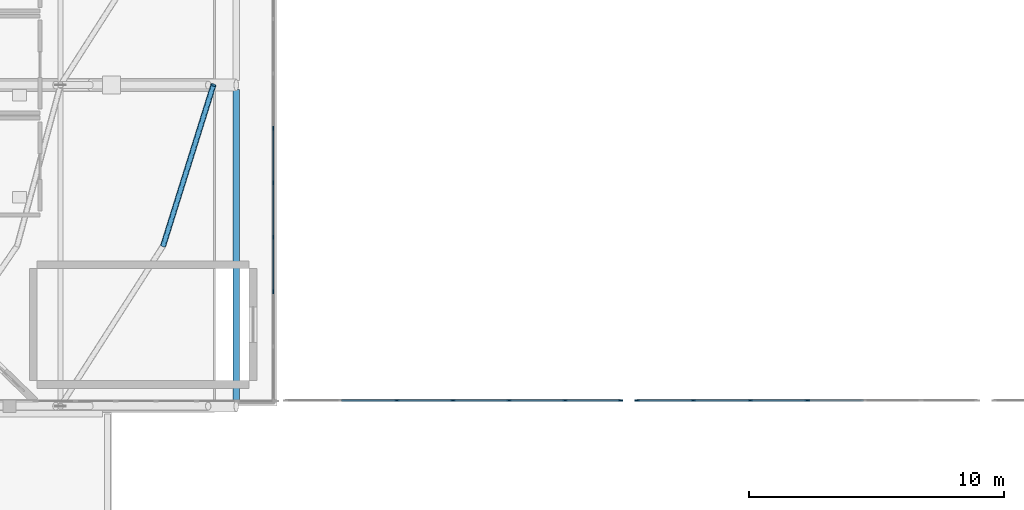
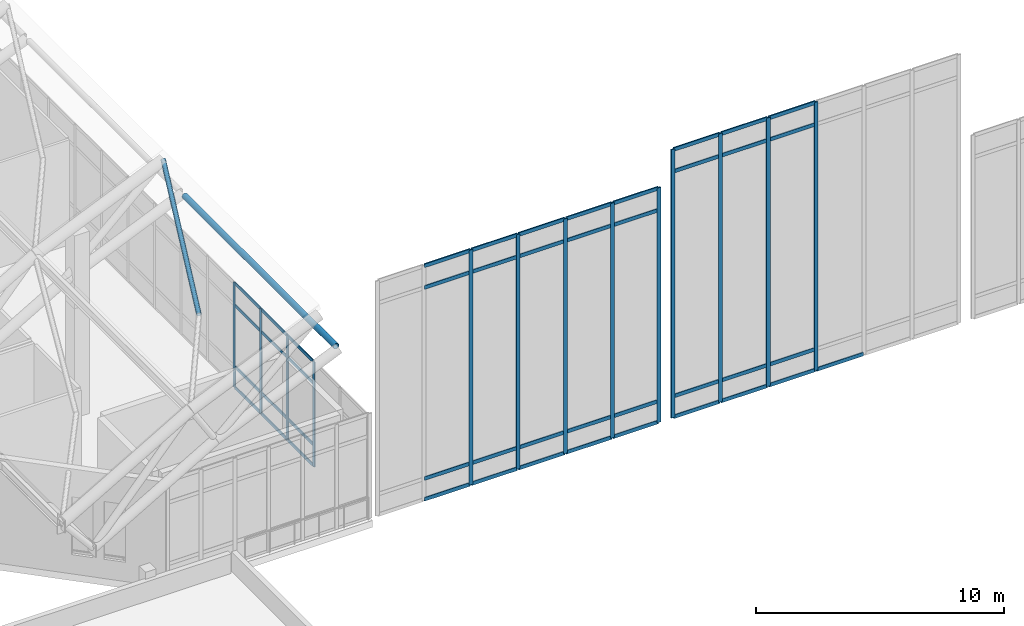
# One storey, part 3 of 42: 60 members, 3 elements without a shape of their own.
"""IFC4 building model written with IfcOpenShell, lengths in metres."""

from ifc_helpers import new_model, si_unit, derived_unit, direction, frame, origin, origin_2d, place, context, subcontext, project, spatial, rectangle, hollow_circle, extrude, material, layer, layer_set, material_profile, profile_set, type_object, element, aggregate, save


model = new_model("IFC4")

# Units and contexts
model_context = context("Model", 3, precision=1e-05, world=origin(), true_north=direction((0.0, 1.0)))
body_context = subcontext(model_context, "Body", "Model", "MODEL_VIEW")
ifc_project = project(units=[si_unit("LENGTHUNIT", "METRE"), si_unit("AREAUNIT", "SQUARE_METRE"), si_unit("VOLUMEUNIT", "CUBIC_METRE"), si_unit("PLANEANGLEUNIT", "RADIAN"), si_unit("MASSUNIT", "GRAM", prefix="KILO"), derived_unit("THERMALTRANSMITTANCEUNIT", [(si_unit("MASSUNIT", "GRAM", prefix="KILO"), 1), (si_unit("TIMEUNIT", "SECOND"), -3), (si_unit("THERMODYNAMICTEMPERATUREUNIT", "KELVIN"), -1)])], contexts=[model_context])

# Site, building, storey
site_placement = place(None, origin())
site = spatial("IfcSite", under=ifc_project, at=site_placement, CompositionType="ELEMENT")
building_placement = place(site_placement, origin())
building = spatial("IfcBuilding", under=site, at=building_placement, Name="Valcora Ridge Arena", CompositionType="ELEMENT")
storey_placement = place(building_placement, frame((0.0, 0.0, 26.39990234375)))
storey = spatial("IfcBuildingStorey", under=building, at=storey_placement, Name="L05", CompositionType="ELEMENT", Elevation=26.39990234375)

# Curtain wall, members
ifc_material_1 = material(Name="Anodised dark bronze architectural aluminium 6063-T6", Category="aluminium")
ifc_layer_1 = layer(ifc_material_1, 0.14990234375, Name="Anodised dark bronze architectural aluminium 6063-T6")
ifc_layer_set_1 = layer_set([ifc_layer_1], Name="Anodised dark bronze architectural aluminium 6063-T6")
curtain_wall_type_1 = type_object("IfcCurtainWallType", Name="TY-CURTAINWALL-CW-V1-SKY-878X52", PredefinedType="NOTDEFINED", material=ifc_layer_set_1)
curtain_wall_1_placement = place(storey_placement, origin())
curtain_wall_1 = element("IfcCurtainWall", 1, at=curtain_wall_1_placement, inside=storey, type_object=curtain_wall_type_1, Name="CW-V1-SKY-878X52 CW-0171", PredefinedType="NOTDEFINED")
ifc_material_profile_1 = material_profile(ifc_material_1, rectangle(XDim=0.050048828125, YDim=0.14990234375, at=origin_2d()), Name="ALU MULLION 50x150")
ifc_profile_set_1 = profile_set([ifc_material_profile_1], Name="Anodised dark bronze architectural aluminium 6063-T6")
member_type_1 = type_object("IfcMemberType", Name="TY-MEM-CWM-50x150", PredefinedType="MULLION", material=ifc_profile_set_1)
member_1_placement = place(storey_placement, frame((38.35009765625, 24.48291015625, 0.0), z_axis=(0.0, 0.0, 1.0), x_axis=(-1.0, 0.0, 0.0)))
member_1 = element("IfcMember", 2, at=member_1_placement, type_object=member_type_1, Name="CW-0171/CWM-50x150/M02", PredefinedType="MULLION", context=body_context, shape_type="SweptSolid", body=[
    extrude(rectangle(XDim=0.050048828125, YDim=0.14990234375, at=origin_2d()), origin(), (0.0, 0.0, 1.0), 5.18017578125),
])
member_2_placement = place(storey_placement, frame((38.35009765625, 26.62451171875, 0.0), z_axis=(0.0, 0.0, 1.0), x_axis=(-1.0, 0.0, 0.0)))
member_2 = element("IfcMember", 3, at=member_2_placement, type_object=member_type_1, Name="CW-0171/CWM-50x150/M03", PredefinedType="MULLION", context=body_context, shape_type="SweptSolid", body=[
    extrude(rectangle(XDim=0.050048828125, YDim=0.14990234375, at=origin_2d()), origin(), (0.0, 0.0, 1.0), 5.18017578125),
])
member_3_placement = place(storey_placement, frame((38.35009765625, 28.765869140625, 0.0), z_axis=(0.0, 0.0, 1.0), x_axis=(-1.0, 0.0, 0.0)))
member_3 = element("IfcMember", 4, at=member_3_placement, type_object=member_type_1, Name="CW-0171/CWM-50x150/M04", PredefinedType="MULLION", context=body_context, shape_type="SweptSolid", body=[
    extrude(rectangle(XDim=0.050048828125, YDim=0.14990234375, at=origin_2d()), origin(), (0.0, 0.0, 1.0), 5.18017578125),
])
member_4_placement = place(storey_placement, frame((38.35009765625, 30.9072265625, 0.0), z_axis=(0.0, 0.0, 1.0), x_axis=(-1.0, 0.0, 0.0)))
member_4 = element("IfcMember", 5, at=member_4_placement, type_object=member_type_1, Name="CW-0171/CWM-50x150/M05", PredefinedType="MULLION", context=body_context, shape_type="SweptSolid", body=[
    extrude(rectangle(XDim=0.050048828125, YDim=0.14990234375, at=origin_2d()), origin(), (0.0, 0.0, 1.0), 5.18017578125),
])

ifc_layer_2 = layer(ifc_material_1, 0.179931640625, Name="Anodised dark bronze architectural aluminium 6063-T6")
ifc_layer_set_2 = layer_set([ifc_layer_2], Name="Anodised dark bronze architectural aluminium 6063-T6")
curtain_wall_type_2 = type_object("IfcCurtainWallType", Name="TY-CURTAINWALL-CW-V1-TYMPS-132X116", PredefinedType="NOTDEFINED", material=ifc_layer_set_2)
curtain_wall_2_placement = place(storey_placement, origin())
curtain_wall_2 = element("IfcCurtainWall", 6, at=curtain_wall_2_placement, inside=storey, type_object=curtain_wall_type_2, Name="CW-V1-TYMPS-132X116 CW-0172", PredefinedType="NOTDEFINED")
ifc_material_profile_2 = material_profile(ifc_material_1, rectangle(XDim=0.06005859375, YDim=0.179931640625, at=origin_2d()), Name="ALU MULLION 60x180")
ifc_profile_set_2 = profile_set([ifc_material_profile_2], Name="Anodised dark bronze architectural aluminium 6063-T6")
member_type_2 = type_object("IfcMemberType", Name="TY-MEM-CWM-60x180", PredefinedType="MULLION", material=ifc_profile_set_2)
member_5_placement = place(storey_placement, frame((43.199951171875, 20.219970703125, 0.0), z_axis=(0.0, 0.0, 1.0), x_axis=(0.0, 1.0, 0.0)))
member_5 = element("IfcMember", 7, at=member_5_placement, type_object=member_type_2, Name="CW-0172/CWM-60x180/M02", PredefinedType="MULLION", context=body_context, shape_type="SweptSolid", body=[
    extrude(rectangle(XDim=0.06005859375, YDim=0.179931640625, at=origin_2d()), origin(), (0.0, 0.0, 1.0), 11.57666015625),
])
member_6_placement = place(storey_placement, frame((45.39990234375, 20.219970703125, 0.0), z_axis=(0.0, 0.0, 1.0), x_axis=(0.0, 1.0, 0.0)))
member_6 = element("IfcMember", 8, at=member_6_placement, type_object=member_type_2, Name="CW-0172/CWM-60x180/M03", PredefinedType="MULLION", context=body_context, shape_type="SweptSolid", body=[
    extrude(rectangle(XDim=0.06005859375, YDim=0.179931640625, at=origin_2d()), origin(), (0.0, 0.0, 1.0), 11.57666015625),
])
member_7_placement = place(storey_placement, frame((47.60009765625, 20.219970703125, 0.0), z_axis=(0.0, 0.0, 1.0), x_axis=(0.0, 1.0, 0.0)))
member_7 = element("IfcMember", 9, at=member_7_placement, type_object=member_type_2, Name="CW-0172/CWM-60x180/M04", PredefinedType="MULLION", context=body_context, shape_type="SweptSolid", body=[
    extrude(rectangle(XDim=0.06005859375, YDim=0.179931640625, at=origin_2d()), origin(), (0.0, 0.0, 1.0), 11.57666015625),
])
member_8_placement = place(storey_placement, frame((49.800048828125, 20.219970703125, 0.0), z_axis=(0.0, 0.0, 1.0), x_axis=(0.0, 1.0, 0.0)))
member_8 = element("IfcMember", 10, at=member_8_placement, type_object=member_type_2, Name="CW-0172/CWM-60x180/M05", PredefinedType="MULLION", context=body_context, shape_type="SweptSolid", body=[
    extrude(rectangle(XDim=0.06005859375, YDim=0.179931640625, at=origin_2d()), origin(), (0.0, 0.0, 1.0), 11.57666015625),
])
member_9_placement = place(storey_placement, frame((51.969970703125, 20.219970703125, 0.0), z_axis=(0.0, 0.0, 1.0), x_axis=(0.0, 1.0, 0.0)))
member_9 = element("IfcMember", 11, at=member_9_placement, type_object=member_type_2, Name="CW-0172/CWM-60x180/M06", PredefinedType="MULLION", context=body_context, shape_type="SweptSolid", body=[
    extrude(rectangle(XDim=0.06005859375, YDim=0.179931640625, at=origin_2d()), origin(), (0.0, 0.0, 1.0), 11.57666015625),
])

ifc_layer_3 = layer(ifc_material_1, 0.179931640625, Name="Anodised dark bronze architectural aluminium 6063-T6")
ifc_layer_set_3 = layer_set([ifc_layer_3], Name="Anodised dark bronze architectural aluminium 6063-T6")
curtain_wall_type_3 = type_object("IfcCurtainWallType", Name="TY-CURTAINWALL-CW-V1-TYMPS-134X132", PredefinedType="NOTDEFINED", material=ifc_layer_set_3)
curtain_wall_3_placement = place(storey_placement, origin())
curtain_wall_3 = element("IfcCurtainWall", 12, at=curtain_wall_3_placement, inside=storey, type_object=curtain_wall_type_3, Name="CW-V1-TYMPS-134X132 CW-0174", PredefinedType="NOTDEFINED")
member_10_placement = place(storey_placement, frame((52.6298828125, 20.219970703125, 0.0), z_axis=(0.0, 0.0, 1.0), x_axis=(0.0, 1.0, 0.0)))
member_10 = element("IfcMember", 13, at=member_10_placement, type_object=member_type_2, Name="CW-0174/CWM-60x180/M00", PredefinedType="MULLION", context=body_context, shape_type="SweptSolid", body=[
    extrude(rectangle(XDim=0.06005859375, YDim=0.179931640625, at=origin_2d()), origin(), (0.0, 0.0, 1.0), 13.239990234375),
])
member_11_placement = place(storey_placement, frame((54.833251953125, 20.219970703125, 0.0), z_axis=(0.0, 0.0, 1.0), x_axis=(0.0, 1.0, 0.0)))
member_11 = element("IfcMember", 14, at=member_11_placement, type_object=member_type_2, Name="CW-0174/CWM-60x180/M01", PredefinedType="MULLION", context=body_context, shape_type="SweptSolid", body=[
    extrude(rectangle(XDim=0.06005859375, YDim=0.179931640625, at=origin_2d()), origin(), (0.0, 0.0, 1.0), 13.239990234375),
])
member_12_placement = place(storey_placement, frame((57.066650390625, 20.219970703125, 0.0), z_axis=(0.0, 0.0, 1.0), x_axis=(0.0, 1.0, 0.0)))
member_12 = element("IfcMember", 15, at=member_12_placement, type_object=member_type_2, Name="CW-0174/CWM-60x180/M02", PredefinedType="MULLION", context=body_context, shape_type="SweptSolid", body=[
    extrude(rectangle(XDim=0.06005859375, YDim=0.179931640625, at=origin_2d()), origin(), (0.0, 0.0, 1.0), 13.239990234375),
])
member_13_placement = place(storey_placement, frame((59.300048828125, 20.219970703125, 0.0), z_axis=(0.0, 0.0, 1.0), x_axis=(0.0, 1.0, 0.0)))
member_13 = element("IfcMember", 16, at=member_13_placement, type_object=member_type_2, Name="CW-0174/CWM-60x180/M03", PredefinedType="MULLION", context=body_context, shape_type="SweptSolid", body=[
    extrude(rectangle(XDim=0.06005859375, YDim=0.179931640625, at=origin_2d()), origin(), (0.0, 0.0, 1.0), 13.239990234375),
])

# Member
ifc_material_profile_3 = material_profile(ifc_material_1, rectangle(XDim=0.050048828125, YDim=0.14990234375, at=origin_2d()), Name="ALU TRANSOM 50x150")
ifc_profile_set_3 = profile_set([ifc_material_profile_3], Name="Anodised dark bronze architectural aluminium 6063-T6")
member_type_3 = type_object("IfcMemberType", Name="TY-MEM-CWT-50x150", PredefinedType="USERDEFINED", material=ifc_profile_set_3)
member_14_placement = place(storey_placement, frame((38.35009765625, 24.508056640625, 0.025146484375), z_axis=(0.0, 1.0, 0.0), x_axis=(-1.0, 0.0, 0.0)))
member_14 = element("IfcMember", 17, at=member_14_placement, type_object=member_type_3, Name="CW-0171/CWT-50x150/T02-00", ObjectType="TRANSOM", PredefinedType="USERDEFINED", context=body_context, shape_type="SweptSolid", body=[
    extrude(rectangle(XDim=0.050048828125, YDim=0.14990234375, at=origin_2d()), origin(), (0.0, 0.0, 1.0), 2.091064453125),
])

member_15_placement = place(storey_placement, frame((38.35009765625, 24.508056640625, 1.050048828125), z_axis=(0.0, 1.0, 0.0), x_axis=(-1.0, 0.0, 0.0)))
member_15 = element("IfcMember", 18, at=member_15_placement, type_object=member_type_3, Name="CW-0171/CWT-50x150/T02-01", ObjectType="TRANSOM", PredefinedType="USERDEFINED", context=body_context, shape_type="SweptSolid", body=[
    extrude(rectangle(XDim=0.050048828125, YDim=0.14990234375, at=origin_2d()), origin(), (0.0, 0.0, 1.0), 2.091064453125),
])

member_16_placement = place(storey_placement, frame((38.35009765625, 24.508056640625, 4.080078125), z_axis=(0.0, 1.0, 0.0), x_axis=(-1.0, 0.0, 0.0)))
member_16 = element("IfcMember", 19, at=member_16_placement, type_object=member_type_3, Name="CW-0171/CWT-50x150/T02-02", ObjectType="TRANSOM", PredefinedType="USERDEFINED", context=body_context, shape_type="SweptSolid", body=[
    extrude(rectangle(XDim=0.050048828125, YDim=0.14990234375, at=origin_2d()), origin(), (0.0, 0.0, 1.0), 2.091064453125),
])

member_17_placement = place(storey_placement, frame((38.35009765625, 24.508056640625, 5.155029296875), z_axis=(0.0, 1.0, 0.0), x_axis=(-1.0, 0.0, 0.0)))
member_17 = element("IfcMember", 20, at=member_17_placement, type_object=member_type_3, Name="CW-0171/CWT-50x150/T02-03", ObjectType="TRANSOM", PredefinedType="USERDEFINED", context=body_context, shape_type="SweptSolid", body=[
    extrude(rectangle(XDim=0.050048828125, YDim=0.14990234375, at=origin_2d()), origin(), (0.0, 0.0, 1.0), 2.091064453125),
])

member_18_placement = place(storey_placement, frame((38.35009765625, 26.64892578125, 0.025146484375), z_axis=(0.0, 1.0, 0.0), x_axis=(-1.0, 0.0, 0.0)))
member_18 = element("IfcMember", 21, at=member_18_placement, type_object=member_type_3, Name="CW-0171/CWT-50x150/T03-00", ObjectType="TRANSOM", PredefinedType="USERDEFINED", context=body_context, shape_type="SweptSolid", body=[
    extrude(rectangle(XDim=0.050048828125, YDim=0.14990234375, at=origin_2d()), origin(), (0.0, 0.0, 1.0), 2.092041015625),
])

member_19_placement = place(storey_placement, frame((38.35009765625, 26.64892578125, 1.050048828125), z_axis=(0.0, 1.0, 0.0), x_axis=(-1.0, 0.0, 0.0)))
member_19 = element("IfcMember", 22, at=member_19_placement, type_object=member_type_3, Name="CW-0171/CWT-50x150/T03-01", ObjectType="TRANSOM", PredefinedType="USERDEFINED", context=body_context, shape_type="SweptSolid", body=[
    extrude(rectangle(XDim=0.050048828125, YDim=0.14990234375, at=origin_2d()), origin(), (0.0, 0.0, 1.0), 2.092041015625),
])

member_20_placement = place(storey_placement, frame((38.35009765625, 26.64892578125, 4.080078125), z_axis=(0.0, 1.0, 0.0), x_axis=(-1.0, 0.0, 0.0)))
member_20 = element("IfcMember", 23, at=member_20_placement, type_object=member_type_3, Name="CW-0171/CWT-50x150/T03-02", ObjectType="TRANSOM", PredefinedType="USERDEFINED", context=body_context, shape_type="SweptSolid", body=[
    extrude(rectangle(XDim=0.050048828125, YDim=0.14990234375, at=origin_2d()), origin(), (0.0, 0.0, 1.0), 2.092041015625),
])

member_21_placement = place(storey_placement, frame((38.35009765625, 26.64892578125, 5.155029296875), z_axis=(0.0, 1.0, 0.0), x_axis=(-1.0, 0.0, 0.0)))
member_21 = element("IfcMember", 24, at=member_21_placement, type_object=member_type_3, Name="CW-0171/CWT-50x150/T03-03", ObjectType="TRANSOM", PredefinedType="USERDEFINED", context=body_context, shape_type="SweptSolid", body=[
    extrude(rectangle(XDim=0.050048828125, YDim=0.14990234375, at=origin_2d()), origin(), (0.0, 0.0, 1.0), 2.092041015625),
])

member_22_placement = place(storey_placement, frame((38.35009765625, 28.791015625, 0.025146484375), z_axis=(0.0, 1.0, 0.0), x_axis=(-1.0, 0.0, 0.0)))
member_22 = element("IfcMember", 25, at=member_22_placement, type_object=member_type_3, Name="CW-0171/CWT-50x150/T04-00", ObjectType="TRANSOM", PredefinedType="USERDEFINED", context=body_context, shape_type="SweptSolid", body=[
    extrude(rectangle(XDim=0.050048828125, YDim=0.14990234375, at=origin_2d()), origin(), (0.0, 0.0, 1.0), 2.091064453125),
])

member_23_placement = place(storey_placement, frame((38.35009765625, 28.791015625, 1.050048828125), z_axis=(0.0, 1.0, 0.0), x_axis=(-1.0, 0.0, 0.0)))
member_23 = element("IfcMember", 26, at=member_23_placement, type_object=member_type_3, Name="CW-0171/CWT-50x150/T04-01", ObjectType="TRANSOM", PredefinedType="USERDEFINED", context=body_context, shape_type="SweptSolid", body=[
    extrude(rectangle(XDim=0.050048828125, YDim=0.14990234375, at=origin_2d()), origin(), (0.0, 0.0, 1.0), 2.091064453125),
])

member_24_placement = place(storey_placement, frame((38.35009765625, 28.791015625, 4.080078125), z_axis=(0.0, 1.0, 0.0), x_axis=(-1.0, 0.0, 0.0)))
member_24 = element("IfcMember", 27, at=member_24_placement, type_object=member_type_3, Name="CW-0171/CWT-50x150/T04-02", ObjectType="TRANSOM", PredefinedType="USERDEFINED", context=body_context, shape_type="SweptSolid", body=[
    extrude(rectangle(XDim=0.050048828125, YDim=0.14990234375, at=origin_2d()), origin(), (0.0, 0.0, 1.0), 2.091064453125),
])

member_25_placement = place(storey_placement, frame((38.35009765625, 28.791015625, 5.155029296875), z_axis=(0.0, 1.0, 0.0), x_axis=(-1.0, 0.0, 0.0)))
member_25 = element("IfcMember", 28, at=member_25_placement, type_object=member_type_3, Name="CW-0171/CWT-50x150/T04-03", ObjectType="TRANSOM", PredefinedType="USERDEFINED", context=body_context, shape_type="SweptSolid", body=[
    extrude(rectangle(XDim=0.050048828125, YDim=0.14990234375, at=origin_2d()), origin(), (0.0, 0.0, 1.0), 2.091064453125),
])

aggregate(curtain_wall_1, [member_1, member_2, member_3, member_4, member_14, member_15, member_16, member_17, member_18, member_19, member_20, member_21, member_22, member_23, member_24, member_25])

ifc_material_profile_4 = material_profile(ifc_material_1, rectangle(XDim=0.06005859375, YDim=0.179931640625, at=origin_2d()), Name="ALU TRANSOM 60x180")
ifc_profile_set_4 = profile_set([ifc_material_profile_4], Name="Anodised dark bronze architectural aluminium 6063-T6")
member_type_4 = type_object("IfcMemberType", Name="TY-MEM-CWT-60x180", PredefinedType="USERDEFINED", material=ifc_profile_set_4)
member_26_placement = place(storey_placement, frame((41.030029296875, 20.219970703125, 0.030029296875), z_axis=(1.0, 0.0, 0.0), x_axis=(0.0, 1.0, 0.0)))
member_26 = element("IfcMember", 29, at=member_26_placement, type_object=member_type_4, Name="CW-0172/CWT-60x180/T01-00", ObjectType="TRANSOM", PredefinedType="USERDEFINED", context=body_context, shape_type="SweptSolid", body=[
    extrude(rectangle(XDim=0.06005859375, YDim=0.179931640625, at=origin_2d()), origin(), (0.0, 0.0, 1.0), 2.139892578125),
])

member_27_placement = place(storey_placement, frame((41.030029296875, 20.219970703125, 1.050048828125), z_axis=(1.0, 0.0, 0.0), x_axis=(0.0, 1.0, 0.0)))
member_27 = element("IfcMember", 30, at=member_27_placement, type_object=member_type_4, Name="CW-0172/CWT-60x180/T01-01", ObjectType="TRANSOM", PredefinedType="USERDEFINED", context=body_context, shape_type="SweptSolid", body=[
    extrude(rectangle(XDim=0.06005859375, YDim=0.179931640625, at=origin_2d()), origin(), (0.0, 0.0, 1.0), 2.139892578125),
])

member_28_placement = place(storey_placement, frame((41.030029296875, 20.219970703125, 10.476806640625), z_axis=(1.0, 0.0, 0.0), x_axis=(0.0, 1.0, 0.0)))
member_28 = element("IfcMember", 31, at=member_28_placement, type_object=member_type_4, Name="CW-0172/CWT-60x180/T01-02", ObjectType="TRANSOM", PredefinedType="USERDEFINED", context=body_context, shape_type="SweptSolid", body=[
    extrude(rectangle(XDim=0.06005859375, YDim=0.179931640625, at=origin_2d()), origin(), (0.0, 0.0, 1.0), 2.139892578125),
])

member_29_placement = place(storey_placement, frame((41.030029296875, 20.219970703125, 11.546630859375), z_axis=(1.0, 0.0, 0.0), x_axis=(0.0, 1.0, 0.0)))
member_29 = element("IfcMember", 32, at=member_29_placement, type_object=member_type_4, Name="CW-0172/CWT-60x180/T01-03", ObjectType="TRANSOM", PredefinedType="USERDEFINED", context=body_context, shape_type="SweptSolid", body=[
    extrude(rectangle(XDim=0.06005859375, YDim=0.179931640625, at=origin_2d()), origin(), (0.0, 0.0, 1.0), 2.139892578125),
])

member_30_placement = place(storey_placement, frame((43.22998046875, 20.219970703125, 0.030029296875), z_axis=(1.0, 0.0, 0.0), x_axis=(0.0, 1.0, 0.0)))
member_30 = element("IfcMember", 33, at=member_30_placement, type_object=member_type_4, Name="CW-0172/CWT-60x180/T02-00", ObjectType="TRANSOM", PredefinedType="USERDEFINED", context=body_context, shape_type="SweptSolid", body=[
    extrude(rectangle(XDim=0.06005859375, YDim=0.179931640625, at=origin_2d()), origin(), (0.0, 0.0, 1.0), 2.14013671875),
])

member_31_placement = place(storey_placement, frame((43.22998046875, 20.219970703125, 1.050048828125), z_axis=(1.0, 0.0, 0.0), x_axis=(0.0, 1.0, 0.0)))
member_31 = element("IfcMember", 34, at=member_31_placement, type_object=member_type_4, Name="CW-0172/CWT-60x180/T02-01", ObjectType="TRANSOM", PredefinedType="USERDEFINED", context=body_context, shape_type="SweptSolid", body=[
    extrude(rectangle(XDim=0.06005859375, YDim=0.179931640625, at=origin_2d()), origin(), (0.0, 0.0, 1.0), 2.14013671875),
])

member_32_placement = place(storey_placement, frame((43.22998046875, 20.219970703125, 10.476806640625), z_axis=(1.0, 0.0, 0.0), x_axis=(0.0, 1.0, 0.0)))
member_32 = element("IfcMember", 35, at=member_32_placement, type_object=member_type_4, Name="CW-0172/CWT-60x180/T02-02", ObjectType="TRANSOM", PredefinedType="USERDEFINED", context=body_context, shape_type="SweptSolid", body=[
    extrude(rectangle(XDim=0.06005859375, YDim=0.179931640625, at=origin_2d()), origin(), (0.0, 0.0, 1.0), 2.14013671875),
])

member_33_placement = place(storey_placement, frame((43.22998046875, 20.219970703125, 11.546630859375), z_axis=(1.0, 0.0, 0.0), x_axis=(0.0, 1.0, 0.0)))
member_33 = element("IfcMember", 36, at=member_33_placement, type_object=member_type_4, Name="CW-0172/CWT-60x180/T02-03", ObjectType="TRANSOM", PredefinedType="USERDEFINED", context=body_context, shape_type="SweptSolid", body=[
    extrude(rectangle(XDim=0.06005859375, YDim=0.179931640625, at=origin_2d()), origin(), (0.0, 0.0, 1.0), 2.14013671875),
])

member_34_placement = place(storey_placement, frame((45.429931640625, 20.219970703125, 0.030029296875), z_axis=(1.0, 0.0, 0.0), x_axis=(0.0, 1.0, 0.0)))
member_34 = element("IfcMember", 37, at=member_34_placement, type_object=member_type_4, Name="CW-0172/CWT-60x180/T03-00", ObjectType="TRANSOM", PredefinedType="USERDEFINED", context=body_context, shape_type="SweptSolid", body=[
    extrude(rectangle(XDim=0.06005859375, YDim=0.179931640625, at=origin_2d()), origin(), (0.0, 0.0, 1.0), 2.14013671875),
])

member_35_placement = place(storey_placement, frame((45.429931640625, 20.219970703125, 1.050048828125), z_axis=(1.0, 0.0, 0.0), x_axis=(0.0, 1.0, 0.0)))
member_35 = element("IfcMember", 38, at=member_35_placement, type_object=member_type_4, Name="CW-0172/CWT-60x180/T03-01", ObjectType="TRANSOM", PredefinedType="USERDEFINED", context=body_context, shape_type="SweptSolid", body=[
    extrude(rectangle(XDim=0.06005859375, YDim=0.179931640625, at=origin_2d()), origin(), (0.0, 0.0, 1.0), 2.14013671875),
])

member_36_placement = place(storey_placement, frame((45.429931640625, 20.219970703125, 10.476806640625), z_axis=(1.0, 0.0, 0.0), x_axis=(0.0, 1.0, 0.0)))
member_36 = element("IfcMember", 39, at=member_36_placement, type_object=member_type_4, Name="CW-0172/CWT-60x180/T03-02", ObjectType="TRANSOM", PredefinedType="USERDEFINED", context=body_context, shape_type="SweptSolid", body=[
    extrude(rectangle(XDim=0.06005859375, YDim=0.179931640625, at=origin_2d()), origin(), (0.0, 0.0, 1.0), 2.14013671875),
])

member_37_placement = place(storey_placement, frame((45.429931640625, 20.219970703125, 11.546630859375), z_axis=(1.0, 0.0, 0.0), x_axis=(0.0, 1.0, 0.0)))
member_37 = element("IfcMember", 40, at=member_37_placement, type_object=member_type_4, Name="CW-0172/CWT-60x180/T03-03", ObjectType="TRANSOM", PredefinedType="USERDEFINED", context=body_context, shape_type="SweptSolid", body=[
    extrude(rectangle(XDim=0.06005859375, YDim=0.179931640625, at=origin_2d()), origin(), (0.0, 0.0, 1.0), 2.14013671875),
])

member_38_placement = place(storey_placement, frame((47.6298828125, 20.219970703125, 0.030029296875), z_axis=(1.0, 0.0, 0.0), x_axis=(0.0, 1.0, 0.0)))
member_38 = element("IfcMember", 41, at=member_38_placement, type_object=member_type_4, Name="CW-0172/CWT-60x180/T04-00", ObjectType="TRANSOM", PredefinedType="USERDEFINED", context=body_context, shape_type="SweptSolid", body=[
    extrude(rectangle(XDim=0.06005859375, YDim=0.179931640625, at=origin_2d()), origin(), (0.0, 0.0, 1.0), 2.14013671875),
])

member_39_placement = place(storey_placement, frame((47.6298828125, 20.219970703125, 1.050048828125), z_axis=(1.0, 0.0, 0.0), x_axis=(0.0, 1.0, 0.0)))
member_39 = element("IfcMember", 42, at=member_39_placement, type_object=member_type_4, Name="CW-0172/CWT-60x180/T04-01", ObjectType="TRANSOM", PredefinedType="USERDEFINED", context=body_context, shape_type="SweptSolid", body=[
    extrude(rectangle(XDim=0.06005859375, YDim=0.179931640625, at=origin_2d()), origin(), (0.0, 0.0, 1.0), 2.14013671875),
])

member_40_placement = place(storey_placement, frame((47.6298828125, 20.219970703125, 10.476806640625), z_axis=(1.0, 0.0, 0.0), x_axis=(0.0, 1.0, 0.0)))
member_40 = element("IfcMember", 43, at=member_40_placement, type_object=member_type_4, Name="CW-0172/CWT-60x180/T04-02", ObjectType="TRANSOM", PredefinedType="USERDEFINED", context=body_context, shape_type="SweptSolid", body=[
    extrude(rectangle(XDim=0.06005859375, YDim=0.179931640625, at=origin_2d()), origin(), (0.0, 0.0, 1.0), 2.14013671875),
])

member_41_placement = place(storey_placement, frame((47.6298828125, 20.219970703125, 11.546630859375), z_axis=(1.0, 0.0, 0.0), x_axis=(0.0, 1.0, 0.0)))
member_41 = element("IfcMember", 44, at=member_41_placement, type_object=member_type_4, Name="CW-0172/CWT-60x180/T04-03", ObjectType="TRANSOM", PredefinedType="USERDEFINED", context=body_context, shape_type="SweptSolid", body=[
    extrude(rectangle(XDim=0.06005859375, YDim=0.179931640625, at=origin_2d()), origin(), (0.0, 0.0, 1.0), 2.14013671875),
])

member_42_placement = place(storey_placement, frame((49.830078125, 20.219970703125, 0.030029296875), z_axis=(1.0, 0.0, 0.0), x_axis=(0.0, 1.0, 0.0)))
member_42 = element("IfcMember", 45, at=member_42_placement, type_object=member_type_4, Name="CW-0172/CWT-60x180/T05-00", ObjectType="TRANSOM", PredefinedType="USERDEFINED", context=body_context, shape_type="SweptSolid", body=[
    extrude(rectangle(XDim=0.06005859375, YDim=0.179931640625, at=origin_2d()), origin(), (0.0, 0.0, 1.0), 2.10986328125),
])

member_43_placement = place(storey_placement, frame((49.830078125, 20.219970703125, 1.050048828125), z_axis=(1.0, 0.0, 0.0), x_axis=(0.0, 1.0, 0.0)))
member_43 = element("IfcMember", 46, at=member_43_placement, type_object=member_type_4, Name="CW-0172/CWT-60x180/T05-01", ObjectType="TRANSOM", PredefinedType="USERDEFINED", context=body_context, shape_type="SweptSolid", body=[
    extrude(rectangle(XDim=0.06005859375, YDim=0.179931640625, at=origin_2d()), origin(), (0.0, 0.0, 1.0), 2.10986328125),
])

member_44_placement = place(storey_placement, frame((49.830078125, 20.219970703125, 10.476806640625), z_axis=(1.0, 0.0, 0.0), x_axis=(0.0, 1.0, 0.0)))
member_44 = element("IfcMember", 47, at=member_44_placement, type_object=member_type_4, Name="CW-0172/CWT-60x180/T05-02", ObjectType="TRANSOM", PredefinedType="USERDEFINED", context=body_context, shape_type="SweptSolid", body=[
    extrude(rectangle(XDim=0.06005859375, YDim=0.179931640625, at=origin_2d()), origin(), (0.0, 0.0, 1.0), 2.10986328125),
])

member_45_placement = place(storey_placement, frame((49.830078125, 20.219970703125, 11.546630859375), z_axis=(1.0, 0.0, 0.0), x_axis=(0.0, 1.0, 0.0)))
member_45 = element("IfcMember", 48, at=member_45_placement, type_object=member_type_4, Name="CW-0172/CWT-60x180/T05-03", ObjectType="TRANSOM", PredefinedType="USERDEFINED", context=body_context, shape_type="SweptSolid", body=[
    extrude(rectangle(XDim=0.06005859375, YDim=0.179931640625, at=origin_2d()), origin(), (0.0, 0.0, 1.0), 2.10986328125),
])

aggregate(curtain_wall_2, [member_5, member_6, member_7, member_8, member_9, member_26, member_27, member_28, member_29, member_30, member_31, member_32, member_33, member_34, member_35, member_36, member_37, member_38, member_39, member_40, member_41, member_42, member_43, member_44, member_45])

member_46_placement = place(storey_placement, frame((52.659912109375, 20.219970703125, 0.030029296875), z_axis=(1.0, 0.0, 0.0), x_axis=(0.0, 1.0, 0.0)))
member_46 = element("IfcMember", 49, at=member_46_placement, type_object=member_type_4, Name="CW-0174/CWT-60x180/T00-00", ObjectType="TRANSOM", PredefinedType="USERDEFINED", context=body_context, shape_type="SweptSolid", body=[
    extrude(rectangle(XDim=0.06005859375, YDim=0.179931640625, at=origin_2d()), origin(), (0.0, 0.0, 1.0), 2.14306640625),
])

member_47_placement = place(storey_placement, frame((52.659912109375, 20.219970703125, 1.050048828125), z_axis=(1.0, 0.0, 0.0), x_axis=(0.0, 1.0, 0.0)))
member_47 = element("IfcMember", 50, at=member_47_placement, type_object=member_type_4, Name="CW-0174/CWT-60x180/T00-01", ObjectType="TRANSOM", PredefinedType="USERDEFINED", context=body_context, shape_type="SweptSolid", body=[
    extrude(rectangle(XDim=0.06005859375, YDim=0.179931640625, at=origin_2d()), origin(), (0.0, 0.0, 1.0), 2.14306640625),
])

member_48_placement = place(storey_placement, frame((52.659912109375, 20.219970703125, 12.139892578125), z_axis=(1.0, 0.0, 0.0), x_axis=(0.0, 1.0, 0.0)))
member_48 = element("IfcMember", 51, at=member_48_placement, type_object=member_type_4, Name="CW-0174/CWT-60x180/T00-02", ObjectType="TRANSOM", PredefinedType="USERDEFINED", context=body_context, shape_type="SweptSolid", body=[
    extrude(rectangle(XDim=0.06005859375, YDim=0.179931640625, at=origin_2d()), origin(), (0.0, 0.0, 1.0), 2.14306640625),
])

member_49_placement = place(storey_placement, frame((52.659912109375, 20.219970703125, 13.2099609375), z_axis=(1.0, 0.0, 0.0), x_axis=(0.0, 1.0, 0.0)))
member_49 = element("IfcMember", 52, at=member_49_placement, type_object=member_type_4, Name="CW-0174/CWT-60x180/T00-03", ObjectType="TRANSOM", PredefinedType="USERDEFINED", context=body_context, shape_type="SweptSolid", body=[
    extrude(rectangle(XDim=0.06005859375, YDim=0.179931640625, at=origin_2d()), origin(), (0.0, 0.0, 1.0), 2.14306640625),
])

member_50_placement = place(storey_placement, frame((54.863037109375, 20.219970703125, 0.030029296875), z_axis=(1.0, 0.0, 0.0), x_axis=(0.0, 1.0, 0.0)))
member_50 = element("IfcMember", 53, at=member_50_placement, type_object=member_type_4, Name="CW-0174/CWT-60x180/T01-00", ObjectType="TRANSOM", PredefinedType="USERDEFINED", context=body_context, shape_type="SweptSolid", body=[
    extrude(rectangle(XDim=0.06005859375, YDim=0.179931640625, at=origin_2d()), origin(), (0.0, 0.0, 1.0), 2.174072265625),
])

member_51_placement = place(storey_placement, frame((54.863037109375, 20.219970703125, 1.050048828125), z_axis=(1.0, 0.0, 0.0), x_axis=(0.0, 1.0, 0.0)))
member_51 = element("IfcMember", 54, at=member_51_placement, type_object=member_type_4, Name="CW-0174/CWT-60x180/T01-01", ObjectType="TRANSOM", PredefinedType="USERDEFINED", context=body_context, shape_type="SweptSolid", body=[
    extrude(rectangle(XDim=0.06005859375, YDim=0.179931640625, at=origin_2d()), origin(), (0.0, 0.0, 1.0), 2.174072265625),
])

member_52_placement = place(storey_placement, frame((54.863037109375, 20.219970703125, 12.139892578125), z_axis=(1.0, 0.0, 0.0), x_axis=(0.0, 1.0, 0.0)))
member_52 = element("IfcMember", 55, at=member_52_placement, type_object=member_type_4, Name="CW-0174/CWT-60x180/T01-02", ObjectType="TRANSOM", PredefinedType="USERDEFINED", context=body_context, shape_type="SweptSolid", body=[
    extrude(rectangle(XDim=0.06005859375, YDim=0.179931640625, at=origin_2d()), origin(), (0.0, 0.0, 1.0), 2.174072265625),
])

member_53_placement = place(storey_placement, frame((54.863037109375, 20.219970703125, 13.2099609375), z_axis=(1.0, 0.0, 0.0), x_axis=(0.0, 1.0, 0.0)))
member_53 = element("IfcMember", 56, at=member_53_placement, type_object=member_type_4, Name="CW-0174/CWT-60x180/T01-03", ObjectType="TRANSOM", PredefinedType="USERDEFINED", context=body_context, shape_type="SweptSolid", body=[
    extrude(rectangle(XDim=0.06005859375, YDim=0.179931640625, at=origin_2d()), origin(), (0.0, 0.0, 1.0), 2.174072265625),
])

member_54_placement = place(storey_placement, frame((57.096923828125, 20.219970703125, 0.030029296875), z_axis=(1.0, 0.0, 0.0), x_axis=(0.0, 1.0, 0.0)))
member_54 = element("IfcMember", 57, at=member_54_placement, type_object=member_type_4, Name="CW-0174/CWT-60x180/T02-00", ObjectType="TRANSOM", PredefinedType="USERDEFINED", context=body_context, shape_type="SweptSolid", body=[
    extrude(rectangle(XDim=0.06005859375, YDim=0.179931640625, at=origin_2d()), origin(), (0.0, 0.0, 1.0), 2.173095703125),
])

member_55_placement = place(storey_placement, frame((57.096923828125, 20.219970703125, 1.050048828125), z_axis=(1.0, 0.0, 0.0), x_axis=(0.0, 1.0, 0.0)))
member_55 = element("IfcMember", 58, at=member_55_placement, type_object=member_type_4, Name="CW-0174/CWT-60x180/T02-01", ObjectType="TRANSOM", PredefinedType="USERDEFINED", context=body_context, shape_type="SweptSolid", body=[
    extrude(rectangle(XDim=0.06005859375, YDim=0.179931640625, at=origin_2d()), origin(), (0.0, 0.0, 1.0), 2.173095703125),
])

member_56_placement = place(storey_placement, frame((57.096923828125, 20.219970703125, 12.139892578125), z_axis=(1.0, 0.0, 0.0), x_axis=(0.0, 1.0, 0.0)))
member_56 = element("IfcMember", 59, at=member_56_placement, type_object=member_type_4, Name="CW-0174/CWT-60x180/T02-02", ObjectType="TRANSOM", PredefinedType="USERDEFINED", context=body_context, shape_type="SweptSolid", body=[
    extrude(rectangle(XDim=0.06005859375, YDim=0.179931640625, at=origin_2d()), origin(), (0.0, 0.0, 1.0), 2.173095703125),
])

member_57_placement = place(storey_placement, frame((57.096923828125, 20.219970703125, 13.2099609375), z_axis=(1.0, 0.0, 0.0), x_axis=(0.0, 1.0, 0.0)))
member_57 = element("IfcMember", 60, at=member_57_placement, type_object=member_type_4, Name="CW-0174/CWT-60x180/T02-03", ObjectType="TRANSOM", PredefinedType="USERDEFINED", context=body_context, shape_type="SweptSolid", body=[
    extrude(rectangle(XDim=0.06005859375, YDim=0.179931640625, at=origin_2d()), origin(), (0.0, 0.0, 1.0), 2.173095703125),
])

member_58_placement = place(storey_placement, frame((59.330078125, 20.219970703125, 0.030029296875), z_axis=(1.0, 0.0, 0.0), x_axis=(0.0, 1.0, 0.0)))
member_58 = element("IfcMember", 61, at=member_58_placement, type_object=member_type_4, Name="CW-0174/CWT-60x180/T03-00", ObjectType="TRANSOM", PredefinedType="USERDEFINED", context=body_context, shape_type="SweptSolid", body=[
    extrude(rectangle(XDim=0.06005859375, YDim=0.179931640625, at=origin_2d()), origin(), (0.0, 0.0, 1.0), 2.1728515625),
])

aggregate(curtain_wall_3, [member_10, member_11, member_12, member_13, member_46, member_47, member_48, member_49, member_50, member_51, member_52, member_53, member_54, member_55, member_56, member_57, member_58])

# Members
ifc_material_2 = material(Name="Steel ASTM A500 Grade C", Category="steel")
ifc_material_profile_5 = material_profile(ifc_material_2, hollow_circle(Radius=0.136474609375, WallThickness=0.012451171875, at=origin_2d()), Name="CHS273X12")
ifc_profile_set_5 = profile_set([ifc_material_profile_5], Name="Steel ASTM A500 Grade C")
member_type_5 = type_object("IfcMemberType", Name="TY-MEMBER-SFBT-273", PredefinedType="STRUT", material=ifc_profile_set_5)
member_59_placement = place(storey_placement, frame((36.895751953125, 20.179931640625, 9.039306640625), z_axis=(0.0, 1.0, 0.0), x_axis=(-1.0, 0.0, 0.0)))
element("IfcMember", 62, at=member_59_placement, inside=storey, type_object=member_type_5, Name="SFBT-273 Space Frame Bottom Strut", PredefinedType="STRUT", context=body_context, shape_type="SweptSolid", body=[
    extrude(hollow_circle(Radius=0.136474609375, WallThickness=0.012451171875, at=origin_2d()), origin(), (0.0, 0.0, 1.0), 12.239990234375),
])
ifc_material_profile_6 = material_profile(ifc_material_2, hollow_circle(Radius=0.109619140625, WallThickness=0.010009765625, at=origin_2d()), Name="CHS219X10")
ifc_profile_set_6 = profile_set([ifc_material_profile_6], Name="Steel ASTM A500 Grade C")
member_type_6 = type_object("IfcMemberType", Name="TY-MEMBER-SFST-219", PredefinedType="STRUT", material=ifc_profile_set_6)
member_60_placement = place(storey_placement, frame((34.031494140625, 26.300048828125, 7.895751953125), z_axis=(0.26940738515, 0.862217235992, 0.428953492566), x_axis=(-0.95449116609, 0.298239189001, 0.0)))
element("IfcMember", 63, at=member_60_placement, inside=storey, type_object=member_type_6, Name="SFST-219 Space Frame Tie Strut", PredefinedType="STRUT", context=body_context, shape_type="SweptSolid", body=[
    extrude(hollow_circle(Radius=0.109619140625, WallThickness=0.010009765625, at=origin_2d()), origin(), (0.0, 0.0, 1.0), 7.306884765625),
])

save(model, "model.ifc")
